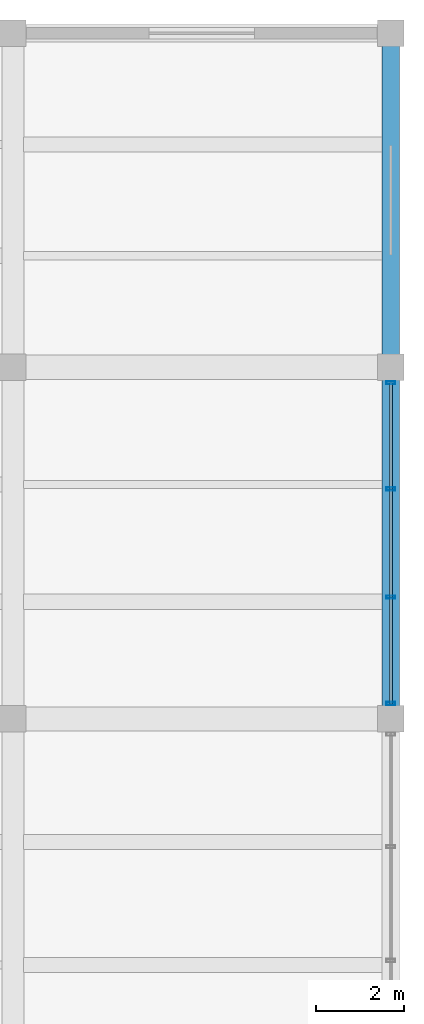
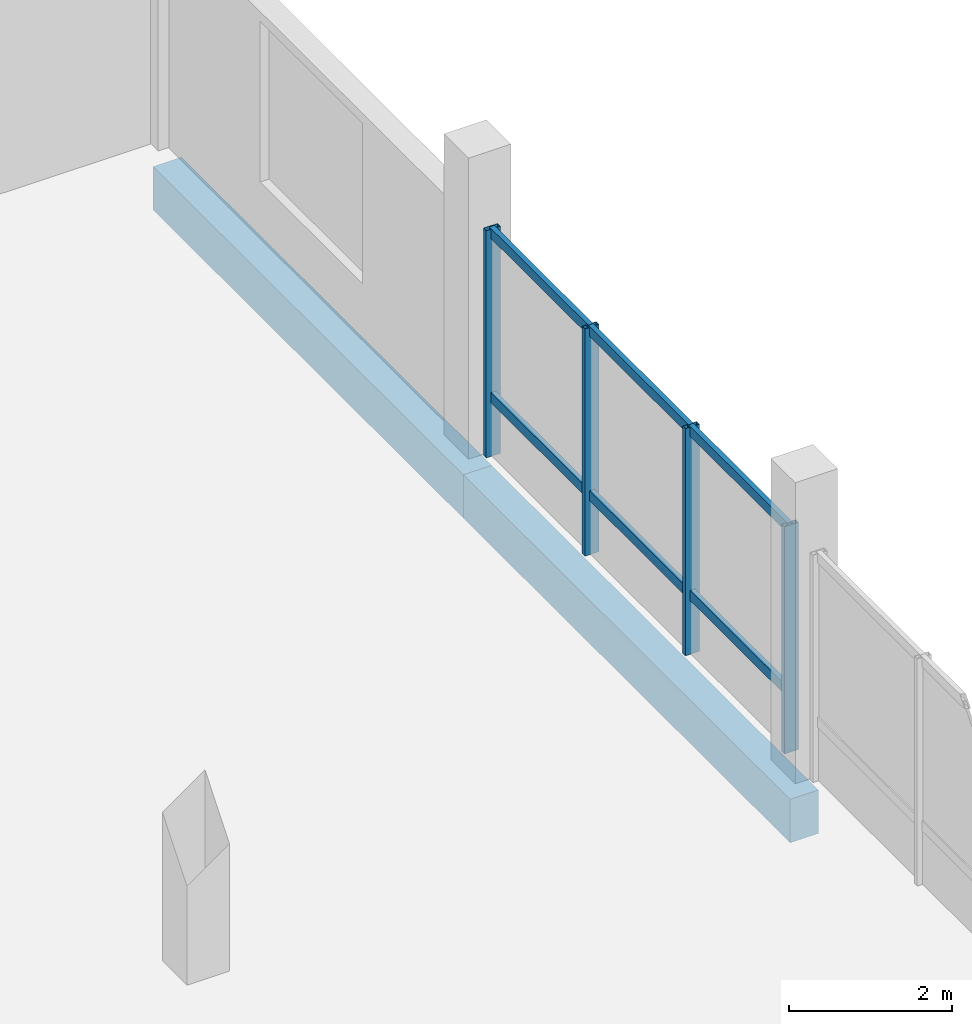
# One storey, part 59 of 77: 10 members, 2 beams, 1 element without a shape of its own.
"""IFC4 building model written with IfcOpenShell, lengths in metres."""

from ifc_helpers import new_model, si_unit, direction, frame, origin, origin_2d, place, context, subcontext, project, spatial, rectangle, hollow_rectangle, extrude, material, layer, layer_set, material_profile, profile_set, type_object, element, aggregate, save


model = new_model("IFC4")

# Units and contexts
model_context = context("Model", 3, precision=1e-05, world=origin(), true_north=direction((0.0, 1.0)))
body_context = subcontext(model_context, "Body", "Model", "MODEL_VIEW")
ifc_project = project(units=[si_unit("LENGTHUNIT", "METRE"), si_unit("AREAUNIT", "SQUARE_METRE"), si_unit("VOLUMEUNIT", "CUBIC_METRE"), si_unit("PLANEANGLEUNIT", "RADIAN"), si_unit("MASSUNIT", "GRAM", prefix="KILO")], contexts=[model_context])

# Site, building, storey
site_placement = place(None, origin())
site = spatial("IfcSite", under=ifc_project, at=site_placement, CompositionType="ELEMENT")
building_placement = place(site_placement, origin())
building = spatial("IfcBuilding", under=site, at=building_placement, Name="Meriwether Solvik Hall", CompositionType="ELEMENT")
storey_placement = place(building_placement, frame((0.0, 0.0, 9.89990234375)))
storey = spatial("IfcBuildingStorey", under=building, at=storey_placement, Name="L02", CompositionType="ELEMENT", Elevation=9.89990234375)

# Beams
ifc_material_1 = material(Name="Concrete C40/50", Category="concrete")
ifc_material_profile_1 = material_profile(ifc_material_1, rectangle(XDim=0.39990234375, YDim=0.64990234375, at=origin_2d()), Name="RCB-400X650")
ifc_profile_set_1 = profile_set([ifc_material_profile_1], Name="Concrete C40/50")
beam_type = type_object("IfcBeamType", Name="BM-RC-400X650", PredefinedType="SPANDREL", material=ifc_profile_set_1)
beam_1_placement = place(storey_placement, frame((166.800048828125, 101.199951171875, -0.77490234375), z_axis=(0.0, 1.0, 0.0), x_axis=(-1.0, 0.0, 0.0)))
element("IfcBeam", 1, at=beam_1_placement, inside=storey, type_object=beam_type, Name="Podium Girder 19:L-M (L02)", PredefinedType="SPANDREL", context=body_context, shape_type="SweptSolid", body=[
    extrude(rectangle(XDim=0.39990234375, YDim=0.64990234375, at=origin_2d()), origin(), (0.0, 0.0, 1.0), 8.0),
])
beam_2_placement = place(storey_placement, frame((166.800048828125, 109.199951171875, -0.77490234375), z_axis=(0.0, 1.0, 0.0), x_axis=(-1.0, 0.0, 0.0)))
element("IfcBeam", 2, at=beam_2_placement, inside=storey, type_object=beam_type, Name="Podium Girder 19:M-N (L02)", PredefinedType="SPANDREL", context=body_context, shape_type="SweptSolid", body=[
    extrude(rectangle(XDim=0.39990234375, YDim=0.64990234375, at=origin_2d()), origin(), (0.0, 0.0, 1.0), 7.60009765625),
])

# Curtain wall, members
ifc_material_2 = material(Name="Thermally Broken Anodised Aluminium 6063-T6 and Low-E Glass", Category="aluminium")
ifc_layer = layer(ifc_material_2, 0.179931640625)
ifc_layer_set = layer_set([ifc_layer], Name="Thermally Broken Anodised Aluminium 6063-T6 and Low-E Glass")
curtain_wall_type = type_object("IfcCurtainWallType", Name="CW-SF-POD-C", PredefinedType="USERDEFINED", material=ifc_layer_set)
curtain_wall_placement = place(storey_placement, origin())
curtain_wall = element("IfcCurtainWall", 3, at=curtain_wall_placement, inside=storey, type_object=curtain_wall_type, Name="Curtain Wall wing_Y19_12_48 (L02)", ObjectType="STICK STOREFRONT GLAZING", PredefinedType="USERDEFINED")
ifc_material_3 = material(Name="Anodised Aluminium 6063-T6", Category="aluminium")
ifc_material_profile_2 = material_profile(ifc_material_3, hollow_rectangle(XDim=0.070068359375, YDim=0.199951171875, WallThickness=0.0048828125, at=origin_2d()), Name="CWM-70X200")
ifc_profile_set_2 = profile_set([ifc_material_profile_2], Name="Anodised Aluminium 6063-T6")
member_type_1 = type_object("IfcMemberType", Name="CW-MUL-70X200", PredefinedType="MULLION", material=ifc_profile_set_2)
member_1_placement = place(storey_placement, frame((166.800048828125, 108.85009765625, 0.0), z_axis=(0.0, 0.0, 1.0), x_axis=(0.0, -1.0, 0.0)))
member_1 = element("IfcMember", 4, at=member_1_placement, type_object=member_type_1, Name="Curtain Wall Mullion 1", PredefinedType="MULLION", context=body_context, shape_type="SweptSolid", body=[
    extrude(hollow_rectangle(XDim=0.070068359375, YDim=0.199951171875, WallThickness=0.0048828125, at=origin_2d()), origin(), (0.0, 0.0, 1.0), 3.39501953125),
])
member_2_placement = place(storey_placement, frame((166.800048828125, 106.429443359375, 0.0), z_axis=(0.0, 0.0, 1.0), x_axis=(0.0, -1.0, 0.0)))
member_2 = element("IfcMember", 5, at=member_2_placement, type_object=member_type_1, Name="Curtain Wall Mullion 2", PredefinedType="MULLION", context=body_context, shape_type="SweptSolid", body=[
    extrude(hollow_rectangle(XDim=0.070068359375, YDim=0.199951171875, WallThickness=0.0048828125, at=origin_2d()), origin(), (0.0, 0.0, 1.0), 3.39501953125),
])
member_3_placement = place(storey_placement, frame((166.800048828125, 103.970703125, 0.0), z_axis=(0.0, 0.0, 1.0), x_axis=(0.0, -1.0, 0.0)))
member_3 = element("IfcMember", 6, at=member_3_placement, type_object=member_type_1, Name="Curtain Wall Mullion 3", PredefinedType="MULLION", context=body_context, shape_type="SweptSolid", body=[
    extrude(hollow_rectangle(XDim=0.070068359375, YDim=0.199951171875, WallThickness=0.0048828125, at=origin_2d()), origin(), (0.0, 0.0, 1.0), 3.39501953125),
])
member_4_placement = place(storey_placement, frame((166.800048828125, 101.550048828125, 0.0), z_axis=(0.0, 0.0, 1.0), x_axis=(0.0, -1.0, 0.0)))
member_4 = element("IfcMember", 7, at=member_4_placement, type_object=member_type_1, Name="Curtain Wall Mullion 4", PredefinedType="MULLION", context=body_context, shape_type="SweptSolid", body=[
    extrude(hollow_rectangle(XDim=0.070068359375, YDim=0.199951171875, WallThickness=0.0048828125, at=origin_2d()), origin(), (0.0, 0.0, 1.0), 3.39501953125),
])
ifc_material_4 = material(Name="Anodised Aluminium 6063-T6", Category="aluminium")
ifc_material_profile_3 = material_profile(ifc_material_4, hollow_rectangle(XDim=0.070068359375, YDim=0.14990234375, WallThickness=0.0048828125, at=origin_2d()), Name="CWT-70X150")
ifc_profile_set_3 = profile_set([ifc_material_profile_3], Name="Anodised Aluminium 6063-T6")
member_type_2 = type_object("IfcMemberType", Name="CW-TRN-70X150", PredefinedType="USERDEFINED", material=ifc_profile_set_3)
member_5_placement = place(storey_placement, frame((166.800048828125, 108.85009765625, 0.880126953125), z_axis=(0.0, -1.0, 0.0), x_axis=(1.0, 0.0, 0.0)))
member_5 = element("IfcMember", 8, at=member_5_placement, type_object=member_type_2, Name="Curtain Wall Transom 1-sill", ObjectType="TRANSOM", PredefinedType="USERDEFINED", context=body_context, shape_type="SweptSolid", body=[
    extrude(hollow_rectangle(XDim=0.070068359375, YDim=0.14990234375, WallThickness=0.0048828125, at=origin_2d()), origin(), (0.0, 0.0, 1.0), 2.420654296875),
])
member_6_placement = place(storey_placement, frame((166.800048828125, 108.85009765625, 3.335205078125), z_axis=(0.0, -1.0, 0.0), x_axis=(1.0, 0.0, 0.0)))
member_6 = element("IfcMember", 9, at=member_6_placement, type_object=member_type_2, Name="Curtain Wall Transom 1-head", ObjectType="TRANSOM", PredefinedType="USERDEFINED", context=body_context, shape_type="SweptSolid", body=[
    extrude(hollow_rectangle(XDim=0.070068359375, YDim=0.14990234375, WallThickness=0.0048828125, at=origin_2d()), origin(), (0.0, 0.0, 1.0), 2.420654296875),
])
member_7_placement = place(storey_placement, frame((166.800048828125, 106.429443359375, 0.880126953125), z_axis=(0.0, -1.0, 0.0), x_axis=(1.0, 0.0, 0.0)))
member_7 = element("IfcMember", 10, at=member_7_placement, type_object=member_type_2, Name="Curtain Wall Transom 2-sill", ObjectType="TRANSOM", PredefinedType="USERDEFINED", context=body_context, shape_type="SweptSolid", body=[
    extrude(hollow_rectangle(XDim=0.070068359375, YDim=0.14990234375, WallThickness=0.0048828125, at=origin_2d()), origin(), (0.0, 0.0, 1.0), 2.458740234375),
])
member_8_placement = place(storey_placement, frame((166.800048828125, 106.429443359375, 3.335205078125), z_axis=(0.0, -1.0, 0.0), x_axis=(1.0, 0.0, 0.0)))
member_8 = element("IfcMember", 11, at=member_8_placement, type_object=member_type_2, Name="Curtain Wall Transom 2-head", ObjectType="TRANSOM", PredefinedType="USERDEFINED", context=body_context, shape_type="SweptSolid", body=[
    extrude(hollow_rectangle(XDim=0.070068359375, YDim=0.14990234375, WallThickness=0.0048828125, at=origin_2d()), origin(), (0.0, 0.0, 1.0), 2.458740234375),
])
member_9_placement = place(storey_placement, frame((166.800048828125, 103.970703125, 0.880126953125), z_axis=(0.0, -1.0, 0.0), x_axis=(1.0, 0.0, 0.0)))
member_9 = element("IfcMember", 12, at=member_9_placement, type_object=member_type_2, Name="Curtain Wall Transom 3-sill", ObjectType="TRANSOM", PredefinedType="USERDEFINED", context=body_context, shape_type="SweptSolid", body=[
    extrude(hollow_rectangle(XDim=0.070068359375, YDim=0.14990234375, WallThickness=0.0048828125, at=origin_2d()), origin(), (0.0, 0.0, 1.0), 2.420654296875),
])
member_10_placement = place(storey_placement, frame((166.800048828125, 103.970703125, 3.335205078125), z_axis=(0.0, -1.0, 0.0), x_axis=(1.0, 0.0, 0.0)))
member_10 = element("IfcMember", 13, at=member_10_placement, type_object=member_type_2, Name="Curtain Wall Transom 3-head", ObjectType="TRANSOM", PredefinedType="USERDEFINED", context=body_context, shape_type="SweptSolid", body=[
    extrude(hollow_rectangle(XDim=0.070068359375, YDim=0.14990234375, WallThickness=0.0048828125, at=origin_2d()), origin(), (0.0, 0.0, 1.0), 2.420654296875),
])
aggregate(curtain_wall, [member_1, member_2, member_3, member_4, member_5, member_6, member_7, member_8, member_9, member_10])

save(model, "model.ifc")
